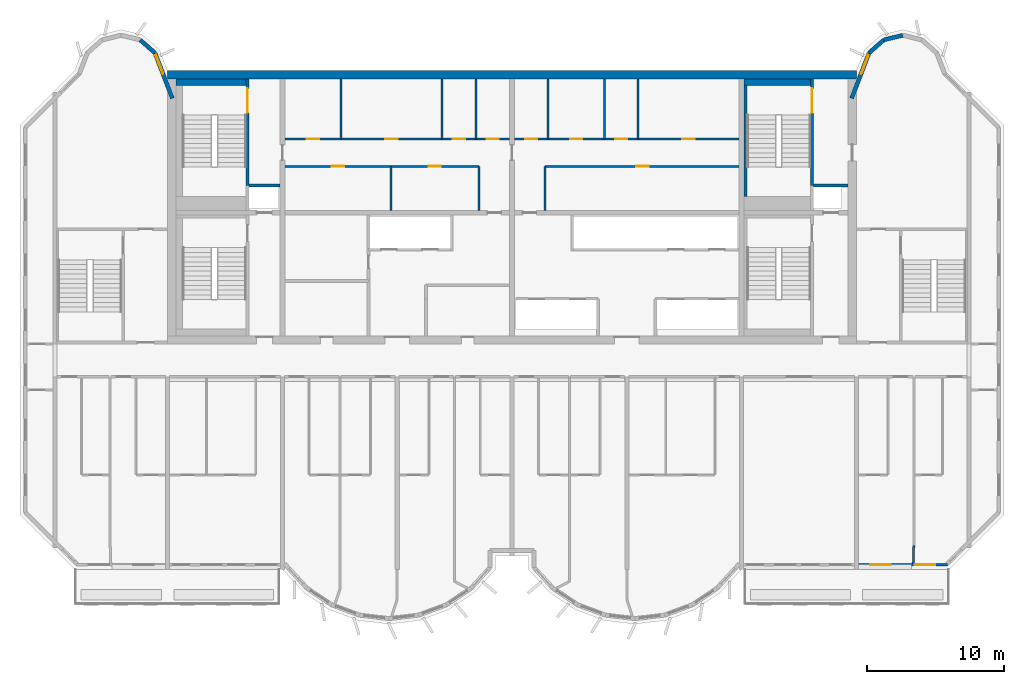
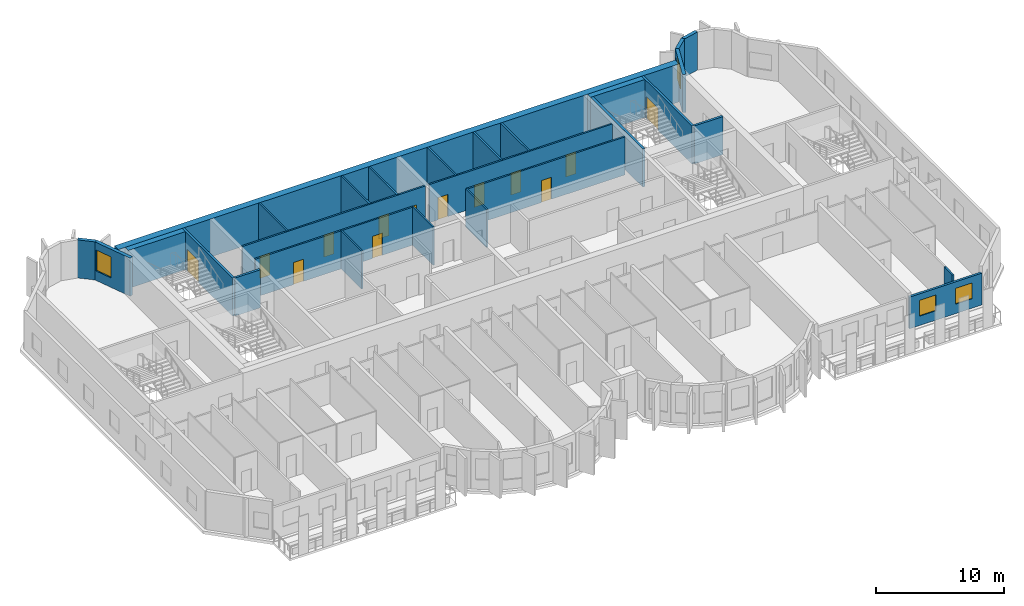
# One storey, part 7 of 11: 28 walls, 13 doors, 4 windows, 17 openings.
"""IFC4 building model written with IfcOpenShell, lengths in metres."""

from ifc_helpers import new_model, si_unit, direction, frame, frame_2d, origin, place, context, subcontext, project, spatial, rectangle, extrude, source, transform, mapped, material, layer, layer_set, type_object, element, fill, save


model = new_model("IFC4")

# Units and contexts
model_context = context("Model", 3, precision=1e-05, world=origin(), true_north=direction((0.0, 1.0)))
body_context = subcontext(model_context, "Body", "Model", "MODEL_VIEW")
ifc_project = project(units=[si_unit("LENGTHUNIT", "METRE"), si_unit("AREAUNIT", "SQUARE_METRE"), si_unit("VOLUMEUNIT", "CUBIC_METRE"), si_unit("PLANEANGLEUNIT", "RADIAN"), si_unit("MASSUNIT", "GRAM", prefix="KILO")], contexts=[model_context])

# Site, building, storey
site_placement = place(None, origin())
site = spatial("IfcSite", under=ifc_project, at=site_placement, CompositionType="ELEMENT")
building_placement = place(site_placement, origin())
building = spatial("IfcBuilding", under=site, at=building_placement, Name="Vanashikhar Sky Hotel", CompositionType="ELEMENT")
storey_placement = place(building_placement, frame((0.0, 0.0, 233.5)))
storey = spatial("IfcBuildingStorey", under=building, at=storey_placement, Name="L56", CompositionType="ELEMENT", Elevation=233.5)

# Wall
ifc_material_1 = material(Name="Concrete M60", Category="concrete")
ifc_layer_1 = layer(ifc_material_1, 0.60009765625)
ifc_layer_set_1 = layer_set([ifc_layer_1], Name="RC core shell wall 600 Concrete M60")
wall_type_1 = type_object("IfcWallType", Name="RC core shell wall 600 Concrete M60", PredefinedType="SHEAR", material=ifc_layer_set_1)
shared_shape_1 = source(origin(), body_context, "Body", "SweptSolid", [
    extrude(rectangle(XDim=50.400146484375, YDim=0.60009765625, at=frame_2d((25.2001953125, 0.0))), origin(), (0.0, 0.0, 1.0), 3.6201171875),
])
wall_1_placement = place(storey_placement, frame((25.199951171875, 41.699951171875, 0.0), z_axis=(0.0, 0.0, 1.0), x_axis=(1.0, 0.0, 0.0)))
element("IfcWall", 1, at=wall_1_placement, inside=storey, type_object=wall_type_1, Name="KW-L56-KN", PredefinedType="SHEAR", context=body_context, shape_type="MappedRepresentation", body=[
    mapped(shared_shape_1, transform((0.0, 0.0, 0.0), scale=1.0)),
])

# Wall, openings, windows
ifc_material_2 = material(Name="Concrete M50", Category="concrete")
ifc_layer_2 = layer(ifc_material_2, 0.199951171875)
ifc_layer_set_2 = layer_set([ifc_layer_2], Name="Front window wall 200")
wall_type_2 = type_object("IfcWallType", Name="Front window wall 200", PredefinedType="SOLIDWALL", material=ifc_layer_set_2)
shared_shape_2 = source(origin(), body_context, "Body", "SweptSolid", [
    extrude(rectangle(XDim=6.5048828125, YDim=0.199951171875, at=frame_2d((3.25244140625, 0.0))), origin(), (0.0, 0.0, 1.0), 3.02001953125),
])
wall_2_placement = place(storey_placement, frame((75.75, 5.85009765625, 0.0), z_axis=(0.0, 0.0, 1.0), x_axis=(1.0, 0.0, 0.0)))
wall_2 = element("IfcWall", 2, at=wall_2_placement, inside=storey, type_object=wall_type_2, Name="Front window wall", PredefinedType="SOLIDWALL", context=body_context, shape_type="MappedRepresentation", body=[
    mapped(shared_shape_2, transform((0.0, 0.0, 0.0), scale=1.0)),
])
shared_shape_3 = source(origin(), body_context, "Body", "SweptSolid", [
    extrude(rectangle(XDim=1.5, YDim=1.5, at=frame_2d((0.75, 0.75))), frame((0.0, 0.10986328125, 0.0), z_axis=(0.0, -1.0, 0.0), x_axis=(1.0, 0.0, 0.0)), (0.0, 0.0, 1.0), 0.219970703125),
])
opening_1_placement = place(wall_2_placement, frame((0.876220703125, 0.0, 0.89990234375)))
opening_1 = element("IfcOpeningElement", 3, at=opening_1_placement, cuts=wall_2, Name="Opening WN-1", PredefinedType="OPENING", context=body_context, shape_type="MappedRepresentation", body=[
    mapped(shared_shape_3, transform((0.0, 0.0, 0.0), scale=1.0)),
])
opening_2_placement = place(wall_2_placement, frame((4.128662109375, 0.0, 0.89990234375)))
opening_2 = element("IfcOpeningElement", 4, at=opening_2_placement, cuts=wall_2, Name="Opening WN-1", PredefinedType="OPENING", context=body_context, shape_type="MappedRepresentation", body=[
    mapped(shared_shape_3, transform((0.0, 0.0, 0.0), scale=1.0)),
])
ifc_material_3 = material(Name="Glass", Category="glass")
window_type_1 = type_object("IfcWindowType", Name="Window 1500 x 1500", PartitioningType="SINGLE_PANEL", PredefinedType="WINDOW", material=ifc_material_3)
shared_shape_4 = source(origin(), body_context, "Body", "SweptSolid", [
    extrude(rectangle(XDim=1.5, YDim=1.5, at=frame_2d((0.75, 0.75))), frame((0.0, 0.030029296875, 0.0), z_axis=(0.0, -1.0, 0.0), x_axis=(1.0, 0.0, 0.0)), (0.0, 0.0, 1.0), 0.06005859375),
])
window_1_placement = place(opening_1_placement, origin())
window_1 = element("IfcWindow", 5, at=window_1_placement, inside=storey, type_object=window_type_1, Name="Window WN-1", OverallHeight=1.5, OverallWidth=1.5, PartitioningType="SINGLE_PANEL", PredefinedType="WINDOW", context=body_context, shape_type="MappedRepresentation", body=[
    mapped(shared_shape_4, transform((0.0, 0.0, 0.0), scale=1.0)),
])
fill(opening_1, window_1)
window_2_placement = place(opening_2_placement, origin())
window_2 = element("IfcWindow", 6, at=window_2_placement, inside=storey, type_object=window_type_1, Name="Window WN-1", OverallHeight=1.5, OverallWidth=1.5, PartitioningType="SINGLE_PANEL", PredefinedType="WINDOW", context=body_context, shape_type="MappedRepresentation", body=[
    mapped(shared_shape_4, transform((0.0, 0.0, 0.0), scale=1.0)),
])
fill(opening_2, window_2)

# Walls
ifc_layer_3 = layer(ifc_material_2, 0.300048828125)
ifc_layer_set_3 = layer_set([ifc_layer_3], Name="Lobe wall 300")
wall_type_3 = type_object("IfcWallType", Name="Lobe wall 300", PredefinedType="SOLIDWALL", material=ifc_layer_set_3)
shared_shape_5 = source(origin(), body_context, "Body", "SweptSolid", [
    extrude(rectangle(XDim=1.43994140625, YDim=0.300048828125, at=frame_2d((0.719970703125, 0.0))), origin(), (0.0, 0.0, 1.0), 3.6201171875),
])
wall_3_placement = place(storey_placement, frame((77.602783203125, 44.2451171875, 0.0), z_axis=(0.0, 0.0, 1.0), x_axis=(-0.74957555648, -0.661918790432, 0.0)))
element("IfcWall", 7, at=wall_3_placement, inside=storey, type_object=wall_type_3, Name="Lobe wall", PredefinedType="SOLIDWALL", context=body_context, shape_type="MappedRepresentation", body=[
    mapped(shared_shape_5, transform((0.0, 0.0, 0.0), scale=1.0)),
])
shared_shape_6 = source(origin(), body_context, "Body", "SweptSolid", [
    extrude(rectangle(XDim=1.438720703125, YDim=0.300048828125, at=frame_2d((0.71923828125, 0.0))), origin(), (0.0, 0.0, 1.0), 3.6201171875),
])
wall_4_placement = place(storey_placement, frame((79.0, 44.588134765625, 0.0), z_axis=(0.0, 0.0, 1.0), x_axis=(-0.971161932466, -0.238420848351, 0.0)))
element("IfcWall", 8, at=wall_4_placement, inside=storey, type_object=wall_type_3, Name="Lobe wall", PredefinedType="SOLIDWALL", context=body_context, shape_type="MappedRepresentation", body=[
    mapped(shared_shape_6, transform((0.0, 0.0, 0.0), scale=1.0)),
])

# Wall, opening, window
shared_shape_7 = source(origin(), body_context, "Body", "SweptSolid", [
    extrude(rectangle(XDim=3.55908203125, YDim=0.300048828125, at=frame_2d((1.779541015625, 0.0))), origin(), (0.0, 0.0, 1.0), 3.6201171875),
])
wall_5_placement = place(storey_placement, frame((76.5234375, 43.2919921875, 0.0), z_axis=(0.0, 0.0, 1.0), x_axis=(-0.35779745313, -0.933799219604, 0.0)))
wall_5 = element("IfcWall", 9, at=wall_5_placement, inside=storey, type_object=wall_type_3, Name="Lobe wall", PredefinedType="SOLIDWALL", context=body_context, shape_type="MappedRepresentation", body=[
    mapped(shared_shape_7, transform((0.0, 0.0, 0.0), scale=1.0)),
])
shared_shape_8 = source(origin(), body_context, "Body", "SweptSolid", [
    extrude(rectangle(XDim=1.5, YDim=2.0, at=frame_2d((0.75, 1.0))), frame((0.0, 0.16015625, 0.0), z_axis=(0.0, -1.0, 0.0), x_axis=(1.0, 0.0, 0.0)), (0.0, 0.0, 1.0), 0.320068359375),
])
opening_3_placement = place(wall_5_placement, frame((0.156005859375, 0.0, 0.89990234375)))
opening_3 = element("IfcOpeningElement", 10, at=opening_3_placement, cuts=wall_5, Name="Opening WN-2", PredefinedType="OPENING", context=body_context, shape_type="MappedRepresentation", body=[
    mapped(shared_shape_8, transform((0.0, 0.0, 0.0), scale=1.0)),
])
window_type_2 = type_object("IfcWindowType", Name="Lobe window 1500 x 2000", PartitioningType="SINGLE_PANEL", PredefinedType="WINDOW", material=ifc_material_3)
shared_shape_9 = source(origin(), body_context, "Body", "SweptSolid", [
    extrude(rectangle(XDim=1.5, YDim=2.0, at=frame_2d((0.75, 1.0))), frame((0.0, 0.030029296875, 0.0), z_axis=(0.0, -1.0, 0.0), x_axis=(1.0, 0.0, 0.0)), (0.0, 0.0, 1.0), 0.06005859375),
])
window_3_placement = place(opening_3_placement, origin())
window_3 = element("IfcWindow", 11, at=window_3_placement, inside=storey, type_object=window_type_2, Name="Window WN-2", OverallHeight=2.0, OverallWidth=1.5, PartitioningType="SINGLE_PANEL", PredefinedType="WINDOW", context=body_context, shape_type="MappedRepresentation", body=[
    mapped(shared_shape_9, transform((0.0, 0.0, 0.0), scale=1.0)),
])
fill(opening_3, window_3)

wall_6_placement = place(storey_placement, frame((25.550048828125, 39.968505859375, 0.0), z_axis=(0.0, 0.0, 1.0), x_axis=(-0.35779745313, 0.933799219604, 0.0)))
wall_6 = element("IfcWall", 12, at=wall_6_placement, inside=storey, type_object=wall_type_3, Name="Lobe wall", PredefinedType="SOLIDWALL", context=body_context, shape_type="MappedRepresentation", body=[
    mapped(shared_shape_7, transform((0.0, 0.0, 0.0), scale=1.0)),
])
opening_4_placement = place(wall_6_placement, frame((1.9033203125, 0.0, 0.89990234375)))
opening_4 = element("IfcOpeningElement", 13, at=opening_4_placement, cuts=wall_6, Name="Opening WN-2", PredefinedType="OPENING", context=body_context, shape_type="MappedRepresentation", body=[
    mapped(shared_shape_8, transform((0.0, 0.0, 0.0), scale=1.0)),
])
window_4_placement = place(opening_4_placement, origin())
window_4 = element("IfcWindow", 14, at=window_4_placement, inside=storey, type_object=window_type_2, Name="Window WN-2", OverallHeight=2.0, OverallWidth=1.5, PartitioningType="SINGLE_PANEL", PredefinedType="WINDOW", context=body_context, shape_type="MappedRepresentation", body=[
    mapped(shared_shape_9, transform((0.0, 0.0, 0.0), scale=1.0)),
])
fill(opening_4, window_4)

# Walls
shared_shape_10 = source(origin(), body_context, "Body", "SweptSolid", [
    extrude(rectangle(XDim=1.440185546875, YDim=0.300048828125, at=frame_2d((0.72021484375, 0.0))), origin(), (0.0, 0.0, 1.0), 3.6201171875),
])
wall_7_placement = place(storey_placement, frame((24.276611328125, 43.2919921875, 0.0), z_axis=(0.0, 0.0, 1.0), x_axis=(-0.749649827867, 0.661834673902, 0.0)))
element("IfcWall", 15, at=wall_7_placement, inside=storey, type_object=wall_type_3, Name="Lobe wall", PredefinedType="SOLIDWALL", context=body_context, shape_type="MappedRepresentation", body=[
    mapped(shared_shape_10, transform((0.0, 0.0, 0.0), scale=1.0)),
])
ifc_material_4 = material(Name="Gypsum board partition")
ifc_layer_4 = layer(ifc_material_4, 0.14990234375)
ifc_layer_set_4 = layer_set([ifc_layer_4], Name="Service partition 150")
wall_type_4 = type_object("IfcWallType", Name="Service partition 150", PredefinedType="PARTITIONING", material=ifc_layer_set_4)
shared_shape_11 = source(origin(), body_context, "Body", "SweptSolid", [
    extrude(rectangle(XDim=3.22509765625, YDim=0.14990234375, at=frame_2d((1.612548828125, 0.0))), origin(), (0.0, 0.0, 1.0), 3.6201171875),
])
for number, where, z_axis, x_axis, name in (
    (16, (48.0, 31.77490234375, 0.0), (0.0, 0.0, 1.0), (0.0, 1.0, 0.0), "Service partition 150"),
    (17, (41.556884765625, 31.77490234375, 0.0), (0.0, 0.0, 1.0), (0.0, 1.0, 0.0), "Service partition 150"),
    (18, (52.800048828125, 31.77490234375, 0.0), (0.0, 0.0, 1.0), (0.0, 1.0, 0.0), "Service partition 150"),
):
    element("IfcWall", number, at=place(storey_placement, frame(where, z_axis=z_axis, x_axis=x_axis)), inside=storey, type_object=wall_type_4, Name=name, PredefinedType="PARTITIONING", context=body_context, shape_type="MappedRepresentation", body=[
        mapped(shared_shape_11, transform((0.0, 0.0, 0.0), scale=1.0)),
    ])

# Wall, openings, doors
shared_shape_12 = source(origin(), body_context, "Body", "SweptSolid", [
    extrude(rectangle(XDim=14.22509765625, YDim=0.14990234375, at=frame_2d((7.112548828125, 0.0))), origin(), (0.0, 0.0, 1.0), 3.6201171875),
])
wall_8_placement = place(storey_placement, frame((33.77490234375, 35.0, 0.0), z_axis=(0.0, 0.0, 1.0), x_axis=(1.0, 0.0, 0.0)))
wall_8 = element("IfcWall", 19, at=wall_8_placement, inside=storey, type_object=wall_type_4, Name="Service partition 150", PredefinedType="PARTITIONING", context=body_context, shape_type="MappedRepresentation", body=[
    mapped(shared_shape_12, transform((0.0, 0.0, 0.0), scale=1.0)),
])
shared_shape_13 = source(origin(), body_context, "Body", "SweptSolid", [
    extrude(rectangle(XDim=0.89990234375, YDim=2.10009765625, at=frame_2d((0.449951171875, 1.050048828125))), frame((0.0, 0.0849609375, 0.0), z_axis=(0.0, -1.0, 0.0), x_axis=(1.0, 0.0, 0.0)), (0.0, 0.0, 1.0), 0.169921875),
])
opening_5_placement = place(wall_8_placement, frame((3.44091796875, 0.0, 0.0)))
opening_5 = element("IfcOpeningElement", 20, at=opening_5_placement, cuts=wall_8, Name="Opening DC-4-A", PredefinedType="OPENING", context=body_context, shape_type="MappedRepresentation", body=[
    mapped(shared_shape_13, transform((0.0, 0.0, 0.0), scale=1.0)),
])
opening_6_placement = place(wall_8_placement, frame((10.51611328125, 0.0, 0.0)))
opening_6 = element("IfcOpeningElement", 21, at=opening_6_placement, cuts=wall_8, Name="Opening DC-4-A", PredefinedType="OPENING", context=body_context, shape_type="MappedRepresentation", body=[
    mapped(shared_shape_13, transform((0.0, 0.0, 0.0), scale=1.0)),
])
ifc_material_5 = material(Name="Steel", Category="steel")
door_type_1 = type_object("IfcDoorType", Name="Service door 900 FD60", OperationType="NOTDEFINED", PredefinedType="DOOR", material=ifc_material_5)
shared_shape_14 = source(origin(), body_context, "Body", "SweptSolid", [
    extrude(rectangle(XDim=0.89990234375, YDim=2.10009765625, at=frame_2d((0.449951171875, 1.050048828125))), frame((0.0, 0.02490234375, 0.0), z_axis=(0.0, -1.0, 0.0), x_axis=(1.0, 0.0, 0.0)), (0.0, 0.0, 1.0), 0.050048828125),
])
door_1_placement = place(opening_5_placement, origin())
door_1 = element("IfcDoor", 22, at=door_1_placement, inside=storey, type_object=door_type_1, Name="Service door 900 FD60", OperationType="SINGLE_SWING_LEFT", OverallHeight=2.10009765625, OverallWidth=0.89990234375, PredefinedType="DOOR", context=body_context, shape_type="MappedRepresentation", body=[
    mapped(shared_shape_14, transform((0.0, 0.0, 0.0), scale=1.0)),
])
fill(opening_5, door_1)
door_2_placement = place(opening_6_placement, origin())
door_2 = element("IfcDoor", 23, at=door_2_placement, inside=storey, type_object=door_type_1, Name="Service door 900 FD60", OperationType="SINGLE_SWING_RIGHT", OverallHeight=2.10009765625, OverallWidth=0.89990234375, PredefinedType="DOOR", context=body_context, shape_type="MappedRepresentation", body=[
    mapped(shared_shape_14, transform((0.0, 0.0, 0.0), scale=1.0)),
])
fill(opening_6, door_2)

shared_shape_15 = source(origin(), body_context, "Body", "SweptSolid", [
    extrude(rectangle(XDim=16.4501953125, YDim=0.14990234375, at=frame_2d((8.22509765625, 0.0))), origin(), (0.0, 0.0, 1.0), 3.6201171875),
])
wall_9_placement = place(storey_placement, frame((33.77490234375, 37.0, 0.0), z_axis=(0.0, 0.0, 1.0), x_axis=(1.0, 0.0, 0.0)))
wall_9 = element("IfcWall", 24, at=wall_9_placement, inside=storey, type_object=wall_type_4, Name="Service partition 150", PredefinedType="PARTITIONING", context=body_context, shape_type="MappedRepresentation", body=[
    mapped(shared_shape_15, transform((0.0, 0.0, 0.0), scale=1.0)),
])
opening_7_placement = place(wall_9_placement, frame((1.60595703125, 0.0, 0.0)))
opening_7 = element("IfcOpeningElement", 25, at=opening_7_placement, cuts=wall_9, Name="Opening DC-4-A", PredefinedType="OPENING", context=body_context, shape_type="MappedRepresentation", body=[
    mapped(shared_shape_13, transform((0.0, 0.0, 0.0), scale=1.0)),
])
opening_8_placement = place(wall_9_placement, frame((7.364013671875, 0.0, 0.0)))
opening_8 = element("IfcOpeningElement", 26, at=opening_8_placement, cuts=wall_9, Name="Opening DC-4-A", PredefinedType="OPENING", context=body_context, shape_type="MappedRepresentation", body=[
    mapped(shared_shape_13, transform((0.0, 0.0, 0.0), scale=1.0)),
])
opening_9_placement = place(wall_9_placement, frame((12.299072265625, 0.0, 0.0)))
opening_9 = element("IfcOpeningElement", 27, at=opening_9_placement, cuts=wall_9, Name="Opening DC-4-A", PredefinedType="OPENING", context=body_context, shape_type="MappedRepresentation", body=[
    mapped(shared_shape_13, transform((0.0, 0.0, 0.0), scale=1.0)),
])
opening_10_placement = place(wall_9_placement, frame((14.76611328125, 0.0, 0.0)))
opening_10 = element("IfcOpeningElement", 28, at=opening_10_placement, cuts=wall_9, Name="Opening DC-4-A", PredefinedType="OPENING", context=body_context, shape_type="MappedRepresentation", body=[
    mapped(shared_shape_13, transform((0.0, 0.0, 0.0), scale=1.0)),
])
door_3_placement = place(opening_7_placement, origin())
door_3 = element("IfcDoor", 29, at=door_3_placement, inside=storey, type_object=door_type_1, Name="Service door 900 FD60", OperationType="SINGLE_SWING_RIGHT", OverallHeight=2.10009765625, OverallWidth=0.89990234375, PredefinedType="DOOR", context=body_context, shape_type="MappedRepresentation", body=[
    mapped(shared_shape_14, transform((0.0, 0.0, 0.0), scale=1.0)),
])
fill(opening_7, door_3)
door_4_placement = place(opening_8_placement, origin())
door_4 = element("IfcDoor", 30, at=door_4_placement, inside=storey, type_object=door_type_1, Name="Service door 900 FD60", OperationType="SINGLE_SWING_LEFT", OverallHeight=2.10009765625, OverallWidth=0.89990234375, PredefinedType="DOOR", context=body_context, shape_type="MappedRepresentation", body=[
    mapped(shared_shape_14, transform((0.0, 0.0, 0.0), scale=1.0)),
])
fill(opening_8, door_4)
door_5_placement = place(opening_9_placement, origin())
door_5 = element("IfcDoor", 31, at=door_5_placement, inside=storey, type_object=door_type_1, Name="Service door 900 FD60", OperationType="SINGLE_SWING_LEFT", OverallHeight=2.10009765625, OverallWidth=0.89990234375, PredefinedType="DOOR", context=body_context, shape_type="MappedRepresentation", body=[
    mapped(shared_shape_14, transform((0.0, 0.0, 0.0), scale=1.0)),
])
fill(opening_9, door_5)
door_6_placement = place(opening_10_placement, origin())
door_6 = element("IfcDoor", 32, at=door_6_placement, inside=storey, type_object=door_type_1, Name="Service door 900 FD60", OperationType="SINGLE_SWING_LEFT", OverallHeight=2.10009765625, OverallWidth=0.89990234375, PredefinedType="DOOR", context=body_context, shape_type="MappedRepresentation", body=[
    mapped(shared_shape_14, transform((0.0, 0.0, 0.0), scale=1.0)),
])
fill(opening_10, door_6)

# Walls
shared_shape_16 = source(origin(), body_context, "Body", "SweptSolid", [
    extrude(rectangle(XDim=4.39990234375, YDim=0.14990234375, at=frame_2d((2.199951171875, 0.0))), origin(), (0.0, 0.0, 1.0), 3.6201171875),
])
for number, where, z_axis, x_axis, name in (
    (33, (37.887939453125, 37.0, 0.0), (0.0, 0.0, 1.0), (0.0, 1.0, 0.0), "Service partition 150"),
    (34, (45.2900390625, 37.0, 0.0), (0.0, 0.0, 1.0), (0.0, 1.0, 0.0), "Service partition 150"),
    (35, (47.758056640625, 37.0, 0.0), (0.0, 0.0, 1.0), (0.0, 1.0, 0.0), "Service partition 150"),
    (36, (59.6220703125, 37.0, 0.0), (0.0, 0.0, 1.0), (0.0, 1.0, 0.0), "Service partition 150"),
    (37, (57.155029296875, 37.0, 0.0), (0.0, 0.0, 1.0), (0.0, 1.0, 0.0), "Service partition 150"),
    (38, (53.0419921875, 37.0, 0.0), (0.0, 0.0, 1.0), (0.0, 1.0, 0.0), "Service partition 150"),
):
    element("IfcWall", number, at=place(storey_placement, frame(where, z_axis=z_axis, x_axis=x_axis)), inside=storey, type_object=wall_type_4, Name=name, PredefinedType="PARTITIONING", context=body_context, shape_type="MappedRepresentation", body=[
        mapped(shared_shape_16, transform((0.0, 0.0, 0.0), scale=1.0)),
    ])

# Wall, opening, door
shared_shape_17 = source(origin(), body_context, "Body", "SweptSolid", [
    extrude(rectangle(XDim=14.224853515625, YDim=0.14990234375, at=frame_2d((7.1123046875, 0.0))), origin(), (0.0, 0.0, 1.0), 3.6201171875),
])
wall_10_placement = place(storey_placement, frame((67.02490234375, 35.0, 0.0), z_axis=(0.0, 0.0, 1.0), x_axis=(-1.0, 0.0, 0.0)))
wall_10 = element("IfcWall", 39, at=wall_10_placement, inside=storey, type_object=wall_type_4, Name="Service partition 150", PredefinedType="PARTITIONING", context=body_context, shape_type="MappedRepresentation", body=[
    mapped(shared_shape_17, transform((0.0, 0.0, 0.0), scale=1.0)),
])
opening_11_placement = place(wall_10_placement, frame((6.625, 0.0, 0.0)))
opening_11 = element("IfcOpeningElement", 40, at=opening_11_placement, cuts=wall_10, Name="Opening DC-4-A", PredefinedType="OPENING", context=body_context, shape_type="MappedRepresentation", body=[
    mapped(shared_shape_13, transform((0.0, 0.0, 0.0), scale=1.0)),
])
door_7_placement = place(opening_11_placement, origin())
door_7 = element("IfcDoor", 41, at=door_7_placement, inside=storey, type_object=door_type_1, Name="Service door 900 FD60", OperationType="SINGLE_SWING_RIGHT", OverallHeight=2.10009765625, OverallWidth=0.89990234375, PredefinedType="DOOR", context=body_context, shape_type="MappedRepresentation", body=[
    mapped(shared_shape_14, transform((0.0, 0.0, 0.0), scale=1.0)),
])
fill(opening_11, door_7)

# Wall, openings, doors
shared_shape_18 = source(origin(), body_context, "Body", "SweptSolid", [
    extrude(rectangle(XDim=16.449951171875, YDim=0.14990234375, at=frame_2d((8.22509765625, 0.0))), origin(), (0.0, 0.0, 1.0), 3.6201171875),
])
wall_11_placement = place(storey_placement, frame((67.02490234375, 37.0, 0.0), z_axis=(0.0, 0.0, 1.0), x_axis=(-1.0, 0.0, 0.0)))
wall_11 = element("IfcWall", 42, at=wall_11_placement, inside=storey, type_object=wall_type_4, Name="Service partition 150", PredefinedType="PARTITIONING", context=body_context, shape_type="MappedRepresentation", body=[
    mapped(shared_shape_18, transform((0.0, 0.0, 0.0), scale=1.0)),
])
opening_12_placement = place(wall_11_placement, frame((3.2509765625, 0.0, 0.0)))
opening_12 = element("IfcOpeningElement", 43, at=opening_12_placement, cuts=wall_11, Name="Opening DC-4-A", PredefinedType="OPENING", context=body_context, shape_type="MappedRepresentation", body=[
    mapped(shared_shape_13, transform((0.0, 0.0, 0.0), scale=1.0)),
])
opening_13_placement = place(wall_11_placement, frame((8.18603515625, 0.0, 0.0)))
opening_13 = element("IfcOpeningElement", 44, at=opening_13_placement, cuts=wall_11, Name="Opening DC-4-A", PredefinedType="OPENING", context=body_context, shape_type="MappedRepresentation", body=[
    mapped(shared_shape_13, transform((0.0, 0.0, 0.0), scale=1.0)),
])
opening_14_placement = place(wall_11_placement, frame((11.47607421875, 0.0, 0.0)))
opening_14 = element("IfcOpeningElement", 45, at=opening_14_placement, cuts=wall_11, Name="Opening DC-4-A", PredefinedType="OPENING", context=body_context, shape_type="MappedRepresentation", body=[
    mapped(shared_shape_13, transform((0.0, 0.0, 0.0), scale=1.0)),
])
opening_15_placement = place(wall_11_placement, frame((14.76611328125, 0.0, 0.0)))
opening_15 = element("IfcOpeningElement", 46, at=opening_15_placement, cuts=wall_11, Name="Opening DC-4-A", PredefinedType="OPENING", context=body_context, shape_type="MappedRepresentation", body=[
    mapped(shared_shape_13, transform((0.0, 0.0, 0.0), scale=1.0)),
])
door_8_placement = place(opening_12_placement, origin())
door_8 = element("IfcDoor", 47, at=door_8_placement, inside=storey, type_object=door_type_1, Name="Service door 900 FD60", OperationType="SINGLE_SWING_RIGHT", OverallHeight=2.10009765625, OverallWidth=0.89990234375, PredefinedType="DOOR", context=body_context, shape_type="MappedRepresentation", body=[
    mapped(shared_shape_14, transform((0.0, 0.0, 0.0), scale=1.0)),
])
fill(opening_12, door_8)
door_9_placement = place(opening_13_placement, origin())
door_9 = element("IfcDoor", 48, at=door_9_placement, inside=storey, type_object=door_type_1, Name="Service door 900 FD60", OperationType="SINGLE_SWING_RIGHT", OverallHeight=2.10009765625, OverallWidth=0.89990234375, PredefinedType="DOOR", context=body_context, shape_type="MappedRepresentation", body=[
    mapped(shared_shape_14, transform((0.0, 0.0, 0.0), scale=1.0)),
])
fill(opening_13, door_9)
door_10_placement = place(opening_14_placement, origin())
door_10 = element("IfcDoor", 49, at=door_10_placement, inside=storey, type_object=door_type_1, Name="Service door 900 FD60", OperationType="SINGLE_SWING_RIGHT", OverallHeight=2.10009765625, OverallWidth=0.89990234375, PredefinedType="DOOR", context=body_context, shape_type="MappedRepresentation", body=[
    mapped(shared_shape_14, transform((0.0, 0.0, 0.0), scale=1.0)),
])
fill(opening_14, door_10)
door_11_placement = place(opening_15_placement, origin())
door_11 = element("IfcDoor", 50, at=door_11_placement, inside=storey, type_object=door_type_1, Name="Service door 900 FD60", OperationType="SINGLE_SWING_RIGHT", OverallHeight=2.10009765625, OverallWidth=0.89990234375, PredefinedType="DOOR", context=body_context, shape_type="MappedRepresentation", body=[
    mapped(shared_shape_14, transform((0.0, 0.0, 0.0), scale=1.0)),
])
fill(opening_15, door_11)

# Wall
ifc_material_6 = material(Name="Concrete M40", Category="concrete")
ifc_layer_5 = layer(ifc_material_6, 0.199951171875)
ifc_layer_set_5 = layer_set([ifc_layer_5], Name="Shaft wall 200")
wall_type_5 = type_object("IfcWallType", Name="Shaft wall 200", PredefinedType="SOLIDWALL", material=ifc_layer_set_5)
shared_shape_19 = source(origin(), body_context, "Body", "SweptSolid", [
    extrude(rectangle(XDim=2.275146484375, YDim=0.199951171875, at=frame_2d((1.1376953125, 0.0))), origin(), (0.0, 0.0, 1.0), 3.6201171875),
])
wall_12_placement = place(storey_placement, frame((31.14990234375, 33.60009765625, 0.0), z_axis=(0.0, 0.0, 1.0), x_axis=(1.0, 0.0, 0.0)))
element("IfcWall", 51, at=wall_12_placement, inside=storey, type_object=wall_type_5, Name="Shaft wall 200", PredefinedType="SOLIDWALL", context=body_context, shape_type="MappedRepresentation", body=[
    mapped(shared_shape_19, transform((0.0, 0.0, 0.0), scale=1.0)),
])

# Wall, opening, door
ifc_layer_6 = layer(ifc_material_2, 0.199951171875)
ifc_layer_set_6 = layer_set([ifc_layer_6], Name="Stair wall 200")
wall_type_6 = type_object("IfcWallType", Name="Stair wall 200", PredefinedType="SOLIDWALL", material=ifc_layer_set_6)
shared_shape_20 = source(origin(), body_context, "Body", "SweptSolid", [
    extrude(rectangle(XDim=7.7998046875, YDim=0.199951171875, at=frame_2d((3.89990234375, 0.0))), origin(), (0.0, 0.0, 1.0), 3.6201171875),
])
wall_13_placement = place(storey_placement, frame((31.050048828125, 33.60009765625, 0.0), z_axis=(0.0, 0.0, 1.0), x_axis=(0.0, 1.0, 0.0)))
wall_13 = element("IfcWall", 52, at=wall_13_placement, inside=storey, type_object=wall_type_6, Name="Stair wall 200", PredefinedType="SOLIDWALL", context=body_context, shape_type="MappedRepresentation", body=[
    mapped(shared_shape_20, transform((0.0, 0.0, 0.0), scale=1.0)),
])
shared_shape_21 = source(origin(), body_context, "Body", "SweptSolid", [
    extrude(rectangle(XDim=1.800048828125, YDim=2.10009765625, at=frame_2d((0.89990234375, 1.050048828125))), frame((0.0, 0.10986328125, 0.0), z_axis=(0.0, -1.0, 0.0), x_axis=(1.0, 0.0, 0.0)), (0.0, 0.0, 1.0), 0.219970703125),
])
opening_16_placement = place(wall_13_placement, frame((5.300048828125, 0.0, 0.0)))
opening_16 = element("IfcOpeningElement", 53, at=opening_16_placement, cuts=wall_13, Name="Opening DC-1-A", PredefinedType="OPENING", context=body_context, shape_type="MappedRepresentation", body=[
    mapped(shared_shape_21, transform((0.0, 0.0, 0.0), scale=1.0)),
])
door_type_2 = type_object("IfcDoorType", Name="Stair door 1800 FD120", OperationType="NOTDEFINED", PredefinedType="DOOR", material=ifc_material_5)
shared_shape_22 = source(origin(), body_context, "Body", "SweptSolid", [
    extrude(rectangle(XDim=1.800048828125, YDim=2.10009765625, at=frame_2d((0.89990234375, 1.050048828125))), frame((0.0, 0.02490234375, 0.0), z_axis=(0.0, -1.0, 0.0), x_axis=(1.0, 0.0, 0.0)), (0.0, 0.0, 1.0), 0.050048828125),
])
door_12_placement = place(opening_16_placement, origin())
door_12 = element("IfcDoor", 54, at=door_12_placement, inside=storey, type_object=door_type_2, Name="Stair door 1800 FD120", OperationType="SINGLE_SWING_RIGHT", OverallHeight=2.10009765625, OverallWidth=1.800048828125, PredefinedType="DOOR", context=body_context, shape_type="MappedRepresentation", body=[
    mapped(shared_shape_22, transform((0.0, 0.0, 0.0), scale=1.0)),
])
fill(opening_16, door_12)

wall_14_placement = place(storey_placement, frame((72.35009765625, 33.60009765625, 0.0), z_axis=(0.0, 0.0, 1.0), x_axis=(0.0, 1.0, 0.0)))
wall_14 = element("IfcWall", 55, at=wall_14_placement, inside=storey, type_object=wall_type_6, Name="Stair wall 200", PredefinedType="SOLIDWALL", context=body_context, shape_type="MappedRepresentation", body=[
    mapped(shared_shape_20, transform((0.0, 0.0, 0.0), scale=1.0)),
])
opening_17_placement = place(wall_14_placement, frame((5.300048828125, 0.0, 0.0)))
opening_17 = element("IfcOpeningElement", 56, at=opening_17_placement, cuts=wall_14, Name="Opening DC-1-A", PredefinedType="OPENING", context=body_context, shape_type="MappedRepresentation", body=[
    mapped(shared_shape_21, transform((0.0, 0.0, 0.0), scale=1.0)),
])
door_13_placement = place(opening_17_placement, origin())
door_13 = element("IfcDoor", 57, at=door_13_placement, inside=storey, type_object=door_type_2, Name="Stair door 1800 FD120", OperationType="SINGLE_SWING_RIGHT", OverallHeight=2.10009765625, OverallWidth=1.800048828125, PredefinedType="DOOR", context=body_context, shape_type="MappedRepresentation", body=[
    mapped(shared_shape_22, transform((0.0, 0.0, 0.0), scale=1.0)),
])
fill(opening_17, door_13)

# Walls
shared_shape_23 = source(origin(), body_context, "Body", "SweptSolid", [
    extrude(rectangle(XDim=2.550048828125, YDim=0.199951171875, at=frame_2d((1.27490234375, 0.0))), origin(), (0.0, 0.0, 1.0), 3.6201171875),
])
wall_15_placement = place(storey_placement, frame((72.449951171875, 33.60009765625, 0.0), z_axis=(0.0, 0.0, 1.0), x_axis=(1.0, 0.0, 0.0)))
element("IfcWall", 58, at=wall_15_placement, inside=storey, type_object=wall_type_5, Name="Shaft wall 200", PredefinedType="SOLIDWALL", context=body_context, shape_type="MappedRepresentation", body=[
    mapped(shared_shape_23, transform((0.0, 0.0, 0.0), scale=1.0)),
])
ifc_layer_7 = layer(ifc_material_2, 0.5)
ifc_layer_set_7 = layer_set([ifc_layer_7], Name="Stair infill wall 500")
wall_type_7 = type_object("IfcWallType", Name="Stair infill wall 500", PredefinedType="SOLIDWALL", material=ifc_layer_set_7)
shared_shape_24 = source(origin(), body_context, "Body", "SweptSolid", [
    extrude(rectangle(XDim=5.14990234375, YDim=0.5, at=frame_2d((2.574951171875, 0.0))), origin(), (0.0, 0.0, 1.0), 3.6201171875),
])
wall_16_placement = place(storey_placement, frame((25.800048828125, 41.14990234375, 0.0), z_axis=(0.0, 0.0, 1.0), x_axis=(1.0, 0.0, 0.0)))
element("IfcWall", 59, at=wall_16_placement, inside=storey, type_object=wall_type_7, Name="Stair infill wall 500", PredefinedType="SOLIDWALL", context=body_context, shape_type="MappedRepresentation", body=[
    mapped(shared_shape_24, transform((0.0, 0.0, 0.0), scale=1.0)),
])
shared_shape_25 = source(origin(), body_context, "Body", "SweptSolid", [
    extrude(rectangle(XDim=4.875, YDim=0.5, at=frame_2d((2.4375, 0.0))), origin(), (0.0, 0.0, 1.0), 3.6201171875),
])
wall_17_placement = place(storey_placement, frame((67.375, 41.14990234375, 0.0), z_axis=(0.0, 0.0, 1.0), x_axis=(1.0, 0.0, 0.0)))
element("IfcWall", 60, at=wall_17_placement, inside=storey, type_object=wall_type_7, Name="Stair infill wall 500", PredefinedType="SOLIDWALL", context=body_context, shape_type="MappedRepresentation", body=[
    mapped(shared_shape_25, transform((0.0, 0.0, 0.0), scale=1.0)),
])
ifc_layer_8 = layer(ifc_material_2, 0.22509765625)
ifc_layer_set_8 = layer_set([ifc_layer_8], Name="Stair infill wall 225")
wall_type_8 = type_object("IfcWallType", Name="Stair infill wall 225", PredefinedType="SOLIDWALL", material=ifc_layer_set_8)
shared_shape_26 = source(origin(), body_context, "Body", "SweptSolid", [
    extrude(rectangle(XDim=8.099853515625, YDim=0.22509765625, at=frame_2d((4.0498046875, 0.0))), origin(), (0.0, 0.0, 1.0), 3.6201171875),
])
wall_18_placement = place(storey_placement, frame((67.487060546875, 32.800048828125, 0.0), z_axis=(0.0, 0.0, 1.0), x_axis=(0.0, 1.0, 0.0)))
element("IfcWall", 61, at=wall_18_placement, inside=storey, type_object=wall_type_8, Name="Stair infill wall 225", PredefinedType="SOLIDWALL", context=body_context, shape_type="MappedRepresentation", body=[
    mapped(shared_shape_26, transform((0.0, 0.0, 0.0), scale=1.0)),
])
ifc_material_7 = material(Name="Gypsum plasterboard partition")
ifc_layer_9 = layer(ifc_material_7, 0.14990234375)
ifc_layer_set_9 = layer_set([ifc_layer_9], Name="Corridor and demising partition 150")
wall_type_9 = type_object("IfcWallType", Name="Corridor and demising partition 150", PredefinedType="PARTITIONING", material=ifc_layer_set_9)
shared_shape_27 = source(origin(), body_context, "Body", "SweptSolid", [
    extrude(rectangle(XDim=1.30078125, YDim=0.14990234375, at=frame_2d((0.650390625, 0.0))), origin(), (0.0, 0.0, 1.0), 3.6201171875),
])
wall_19_placement = place(storey_placement, frame((79.759033203125, 5.949951171875, 0.0), z_axis=(0.0, 0.0, 1.0), x_axis=(0.031533606063, 0.999502692187, 0.0)))
element("IfcWall", 62, at=wall_19_placement, inside=storey, type_object=wall_type_9, Name="W-L56-PW046B0", PredefinedType="PARTITIONING", context=body_context, shape_type="MappedRepresentation", body=[
    mapped(shared_shape_27, transform((0.0, 0.0, 0.0), scale=1.0)),
])

save(model, "model.ifc")
